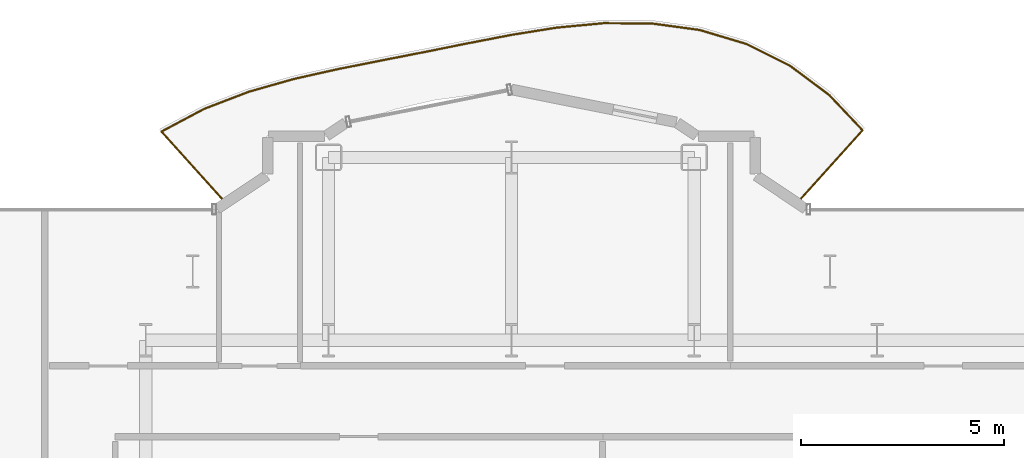
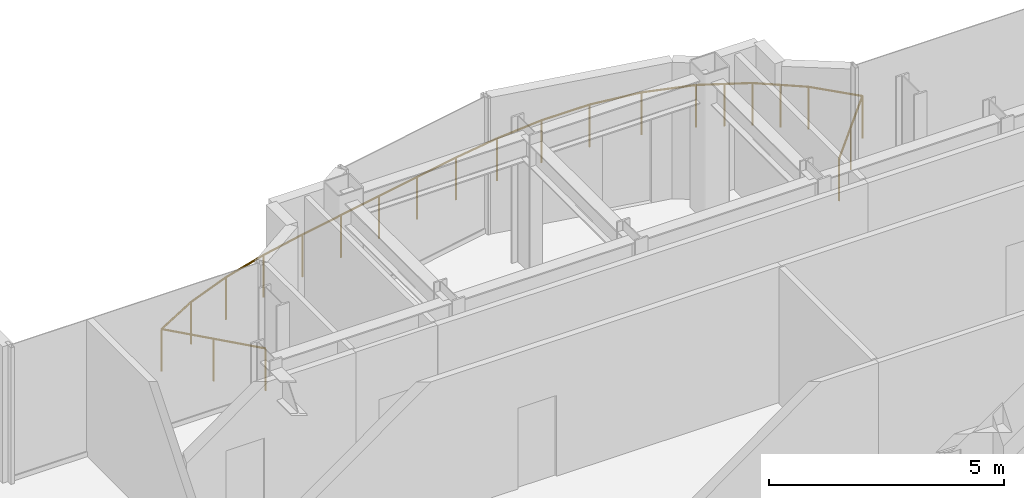
# One storey, part 22 of 22: 1 railing.
"""IFC4 building model written with IfcOpenShell, lengths in metres."""

from ifc_helpers import new_model, si_unit, direction, frame, origin, origin_2d, place, context, subcontext, project, spatial, circle, extrude, material, type_object, element, save


model = new_model("IFC4")

# Units and contexts
model_context = context("Model", 3, precision=1e-05, world=origin(), true_north=direction((0.0, 1.0)))
body_context = subcontext(model_context, "Body", "Model", "MODEL_VIEW")
ifc_project = project(units=[si_unit("LENGTHUNIT", "METRE"), si_unit("AREAUNIT", "SQUARE_METRE"), si_unit("VOLUMEUNIT", "CUBIC_METRE"), si_unit("PLANEANGLEUNIT", "RADIAN"), si_unit("MASSUNIT", "GRAM", prefix="KILO")], contexts=[model_context])

# Site, building, storey
site_placement = place(None, origin())
site = spatial("IfcSite", under=ifc_project, at=site_placement, CompositionType="ELEMENT")
building_placement = place(site_placement, origin())
building = spatial("IfcBuilding", under=site, at=building_placement, Name="Nefas-Gora Pilgrimage Tower", CompositionType="ELEMENT")
storey_placement = place(building_placement, frame((0.0, 0.0, 218.0)))
storey = spatial("IfcBuildingStorey", under=building, at=storey_placement, Name="L54", CompositionType="ELEMENT", Elevation=218.0)

# Railing
ifc_material = material(Name="Laminated safety glass and stainless steel", Category="steel")
railing_type = type_object("IfcRailingType", Name="RLG-BAL-1100", PredefinedType="BALUSTRADE", material=ifc_material)
railing_placement = place(storey_placement, frame((4.802490234375, 21.402587890625, 0.0)))
element("IfcRailing", 1, at=railing_placement, inside=storey, type_object=railing_type, Name="L54 Wave Balcony Balustrade N1", PredefinedType="BALUSTRADE", context=body_context, shape_type="SweptSolid", body=[
    extrude(circle(Radius=0.02392578125, at=origin_2d()), frame((0.0, 0.0, 1.09619140625), z_axis=(0.669135077133, 0.74314079995, 0.0), x_axis=(-0.74314079995, 0.669135077133, 0.0)), (0.0, 0.0, 1.0), 2.375244140625),
    extrude(circle(Radius=0.02392578125, at=origin_2d()), frame((1.58935546875, 1.76513671875, 1.09619140625), z_axis=(-0.68750179514, 0.726182677898, 0.0), x_axis=(-0.726182677898, -0.68750179514, 0.0)), (0.0, 0.0, 1.0), 1.19921875),
    extrude(circle(Radius=0.02392578125, at=origin_2d()), frame((0.764892578125, 2.635986328125, 1.09619140625), z_axis=(-0.801437477804, 0.59807856438, 0.0), x_axis=(-0.59807856438, -0.801437477804, 0.0)), (0.0, 0.0, 1.0), 1.200439453125),
    extrude(circle(Radius=0.02392578125, at=origin_2d()), frame((-0.197265625, 3.35400390625, 1.09619140625), z_axis=(-0.89467105907, 0.44672552654, 0.0), x_axis=(-0.44672552654, -0.89467105907, 0.0)), (0.0, 0.0, 1.0), 1.20068359375),
    extrude(circle(Radius=0.02392578125, at=origin_2d()), frame((-1.271484375, 3.890380859375, 1.09619140625), z_axis=(-0.958038938913, 0.286638084571, 0.0), x_axis=(-0.286638084571, -0.958038938913, 0.0)), (0.0, 0.0, 1.0), 1.19921875),
    extrude(circle(Radius=0.02392578125, at=origin_2d()), frame((-2.42041015625, 4.234130859375, 1.09619140625), z_axis=(-0.990887292095, 0.134693631496, 0.0), x_axis=(-0.134693631496, -0.990887292095, 0.0)), (0.0, 0.0, 1.0), 1.194580078125),
    extrude(circle(Radius=0.02392578125, at=origin_2d()), frame((-3.60400390625, 4.39501953125, 1.09619140625), z_axis=(-0.999987695818, 0.004960666536, 0.0), x_axis=(-0.004960666536, -0.999987695818, 0.0)), (0.0, 0.0, 1.0), 1.18115234375),
    extrude(circle(Radius=0.02392578125, at=origin_2d()), frame((-4.78515625, 4.40087890625, 1.09619140625), z_axis=(-0.995572807418, -0.093993537703, 0.0), x_axis=(0.093993537703, -0.995572807418, 0.0)), (0.0, 0.0, 1.0), 1.158447265625),
    extrude(circle(Radius=0.02392578125, at=origin_2d()), frame((-5.9384765625, 4.2919921875, 1.09619140625), z_axis=(-0.98740955461, -0.15818461197, 0.0), x_axis=(0.15818461197, -0.98740955461, 0.0)), (0.0, 0.0, 1.0), 1.128173828125),
    extrude(circle(Radius=0.02392578125, at=origin_2d()), frame((-7.052490234375, 4.113525390625, 1.09619140625), z_axis=(-0.981742387209, -0.190215365199, 0.0), x_axis=(0.190215365199, -0.981742387209, 0.0)), (0.0, 0.0, 1.0), 1.0986328125),
    extrude(circle(Radius=0.02392578125, at=origin_2d()), frame((-8.131103515625, 3.904541015625, 1.09619140625), z_axis=(-0.980414901531, -0.196943191949, 0.0), x_axis=(0.196943191949, -0.980414901531, 0.0)), (0.0, 0.0, 1.0), 1.07861328125),
    extrude(circle(Radius=0.02392578125, at=origin_2d()), frame((-9.1884765625, 3.692138671875, 1.09619140625), z_axis=(-0.981315429712, -0.192405892346, 0.0), x_axis=(0.192405892346, -0.981315429712, 0.0)), (0.0, 0.0, 1.0), 1.075927734375),
    extrude(circle(Radius=0.02392578125, at=origin_2d()), frame((-10.244384765625, 3.485107421875, 1.09619140625), z_axis=(-0.980846406589, -0.194782767929, 0.0), x_axis=(0.194782767929, -0.980846406589, 0.0)), (0.0, 0.0, 1.0), 1.091796875),
    extrude(circle(Radius=0.02392578125, at=origin_2d()), frame((-11.315185546875, 3.2724609375, 1.09619140625), z_axis=(-0.975857703496, -0.218407285884, 0.0), x_axis=(0.218407285884, -0.975857703496, 0.0)), (0.0, 0.0, 1.0), 1.1201171875),
    extrude(circle(Radius=0.02392578125, at=origin_2d()), frame((-12.408203125, 3.02783203125, 1.09619140625), z_axis=(-0.962066425729, -0.272815308377, 0.0), x_axis=(0.272815308377, -0.962066425729, 0.0)), (0.0, 0.0, 1.0), 1.15087890625),
    extrude(circle(Radius=0.02392578125, at=origin_2d()), frame((-13.515380859375, 2.7138671875, 1.09619140625), z_axis=(-0.933666294474, -0.358144175665, 0.0), x_axis=(0.358144175665, -0.933666294474, 0.0)), (0.0, 0.0, 1.0), 1.17578125),
    extrude(circle(Radius=0.02392578125, at=origin_2d()), frame((-14.61328125, 2.292724609375, 1.09619140625), z_axis=(-0.883049407943, -0.469280026351, 0.0), x_axis=(0.469280026351, -0.883049407943, 0.0)), (0.0, 0.0, 1.0), 1.19189453125),
    extrude(circle(Radius=0.02392578125, at=origin_2d()), frame((-15.665771484375, 1.7333984375, 1.09619140625), z_axis=(0.669138195153, -0.743137992427, 0.0), x_axis=(0.743137992427, 0.669138195153, 0.0)), (0.0, 0.0, 1.0), 2.33251953125),
    extrude(circle(Radius=0.02099609375, at=origin_2d()), origin(), (0.0, 0.0, 1.0), 1.072021484375),
    extrude(circle(Radius=0.02099609375, at=origin_2d()), frame((0.794677734375, 0.882568359375, 0.0)), (0.0, 0.0, 1.0), 1.072021484375),
    extrude(circle(Radius=0.02099609375, at=origin_2d()), frame((1.58935546875, 1.76513671875, 0.0)), (0.0, 0.0, 1.0), 1.072021484375),
    extrude(circle(Radius=0.02099609375, at=origin_2d()), frame((0.764892578125, 2.635986328125, 0.0)), (0.0, 0.0, 1.0), 1.072021484375),
    extrude(circle(Radius=0.02099609375, at=origin_2d()), frame((0.28369140625, 2.9951171875, 0.0)), (0.0, 0.0, 1.0), 1.072021484375),
    extrude(circle(Radius=0.02099609375, at=origin_2d()), frame((-0.197265625, 3.35400390625, 0.0)), (0.0, 0.0, 1.0), 1.072021484375),
    extrude(circle(Radius=0.02099609375, at=origin_2d()), frame((-0.734375, 3.6220703125, 0.0)), (0.0, 0.0, 1.0), 1.072021484375),
    extrude(circle(Radius=0.02099609375, at=origin_2d()), frame((-1.271484375, 3.890380859375, 0.0)), (0.0, 0.0, 1.0), 1.072021484375),
    extrude(circle(Radius=0.02099609375, at=origin_2d()), frame((-2.42041015625, 4.234130859375, 0.0)), (0.0, 0.0, 1.0), 1.072021484375),
    extrude(circle(Radius=0.02099609375, at=origin_2d()), frame((-3.60400390625, 4.39501953125, 0.0)), (0.0, 0.0, 1.0), 1.072021484375),
    extrude(circle(Radius=0.02099609375, at=origin_2d()), frame((-4.78515625, 4.40087890625, 0.0)), (0.0, 0.0, 1.0), 1.072021484375),
    extrude(circle(Radius=0.02099609375, at=origin_2d()), frame((-5.9384765625, 4.2919921875, 0.0)), (0.0, 0.0, 1.0), 1.072021484375),
    extrude(circle(Radius=0.02099609375, at=origin_2d()), frame((-7.052490234375, 4.113525390625, 0.0)), (0.0, 0.0, 1.0), 1.072021484375),
    extrude(circle(Radius=0.02099609375, at=origin_2d()), frame((-8.131103515625, 3.904541015625, 0.0)), (0.0, 0.0, 1.0), 1.072021484375),
    extrude(circle(Radius=0.02099609375, at=origin_2d()), frame((-9.1884765625, 3.692138671875, 0.0)), (0.0, 0.0, 1.0), 1.072021484375),
    extrude(circle(Radius=0.02099609375, at=origin_2d()), frame((-10.244384765625, 3.485107421875, 0.0)), (0.0, 0.0, 1.0), 1.072021484375),
    extrude(circle(Radius=0.02099609375, at=origin_2d()), frame((-11.315185546875, 3.2724609375, 0.0)), (0.0, 0.0, 1.0), 1.072021484375),
    extrude(circle(Radius=0.02099609375, at=origin_2d()), frame((-12.408203125, 3.02783203125, 0.0)), (0.0, 0.0, 1.0), 1.072021484375),
    extrude(circle(Radius=0.02099609375, at=origin_2d()), frame((-13.515380859375, 2.7138671875, 0.0)), (0.0, 0.0, 1.0), 1.072021484375),
    extrude(circle(Radius=0.02099609375, at=origin_2d()), frame((-14.61328125, 2.292724609375, 0.0)), (0.0, 0.0, 1.0), 1.072021484375),
    extrude(circle(Radius=0.02099609375, at=origin_2d()), frame((-15.665771484375, 1.7333984375, 0.0)), (0.0, 0.0, 1.0), 1.072021484375),
    extrude(circle(Radius=0.02099609375, at=origin_2d()), frame((-14.88525390625, 0.86669921875, 0.0)), (0.0, 0.0, 1.0), 1.072021484375),
    extrude(circle(Radius=0.02099609375, at=origin_2d()), frame((-14.10498046875, 0.0, 0.0)), (0.0, 0.0, 1.0), 1.072021484375),
])

save(model, "model.ifc")
